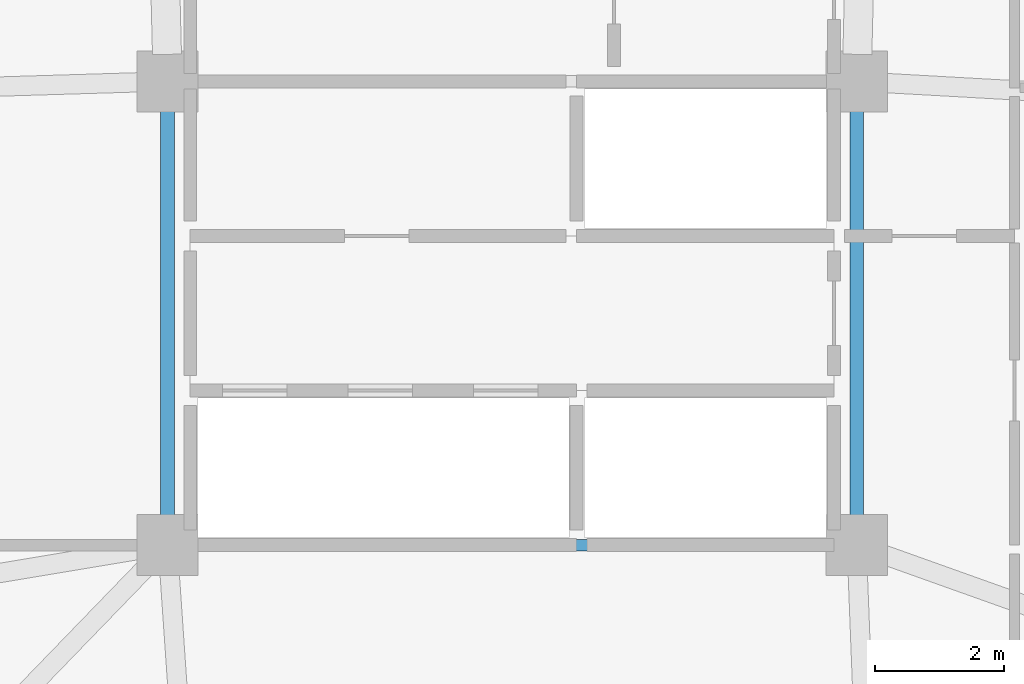
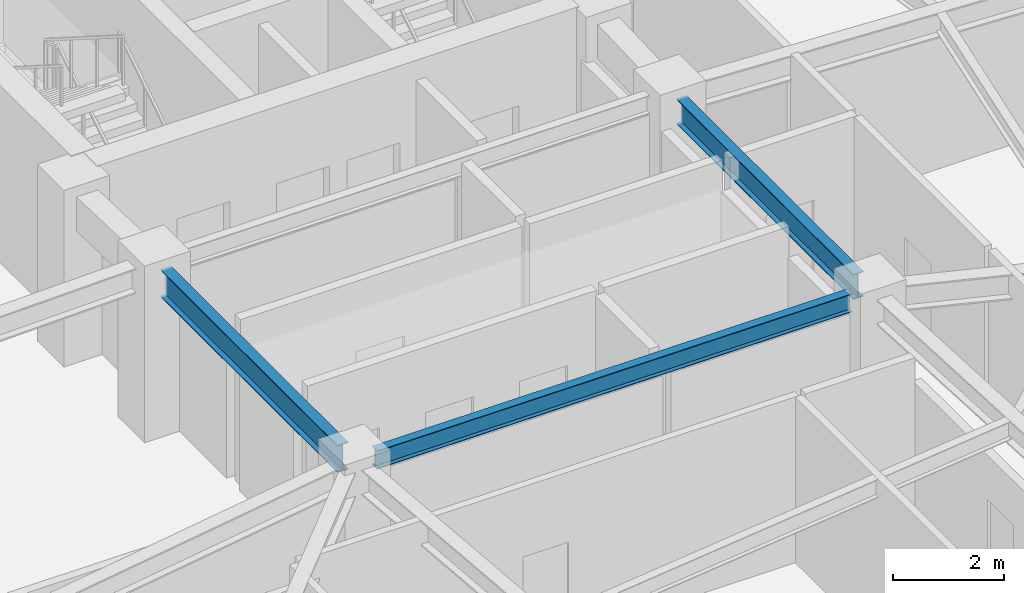
# One storey, part 9 of 25: 3 beams.
"""IFC4 building model written with IfcOpenShell, lengths in metres."""

import ifcopenshell
import ifcopenshell.guid

model = None  # the IFC model being written
_history = None  # IfcOwnerHistory: only IFC2X3 demands one
_inside = {}  # id of a spatial element -> (the spatial element, [elements in it])
_under = {}  # id of a project, library or spatial element -> (it, [spatial elements below it])
_declared = {}  # id of a project -> (the project, [libraries it declares])
_typed = {}  # id of a type object -> (the type object, [elements of that type])
_made_of = {}  # id of a material, layer set ... -> (it, [elements and type objects made of it])


def new_model(schema):
    """Start an empty IFC model of exactly this schema.

    Asked for "IFC4X3", IfcOpenShell would pick the latest addendum, in which some entities
    have other attributes; the version numbers below select the first issue.
    IFC2X3 requires an IfcOwnerHistory on every rooted entity: one is made here for all.
    """
    global model, _history
    if schema == "IFC4X3":
        model = ifcopenshell.file(schema_version=(4, 3, 0, 0))
    else:
        model = ifcopenshell.file(schema=schema)
    _inside.clear()
    _under.clear()
    _declared.clear()
    _typed.clear()
    _made_of.clear()
    _history = None
    if model.schema == "IFC2X3":
        org = make("IfcOrganization", Name="unknown")
        user = make(
            "IfcPersonAndOrganization",
            ThePerson=make("IfcPerson", FamilyName="unknown"),
            TheOrganization=org,
        )
        app = make(
            "IfcApplication",
            ApplicationDeveloper=org,
            Version="unknown",
            ApplicationFullName="unknown",
            ApplicationIdentifier="unknown",
        )
        _history = make(
            "IfcOwnerHistory",
            OwningUser=user,
            OwningApplication=app,
            ChangeAction="ADDED",
            CreationDate=0,
        )
    return model


def make(cls, **values):
    """One entity of the class cls with the attributes given. An attribute that is None is left unset."""
    return model.create_entity(
        cls, **{name: value for name, value in values.items() if value is not None}
    )


def rooted(cls, **values):
    """An entity with a GlobalId (a new one), such as an element, a storey or a relation."""
    return make(cls, GlobalId=ifcopenshell.guid.new(), OwnerHistory=_history, **values)


def si_unit(unit_type, name, prefix=None):
    """IfcSIUnit, for example si_unit("LENGTHUNIT", "METRE", prefix="MILLI")."""
    return make("IfcSIUnit", UnitType=unit_type, Prefix=prefix, Name=name)


def assignment(units):
    """IfcUnitAssignment: the units of a project."""
    return None if units is None else make("IfcUnitAssignment", Units=units)


def point(xyz):
    """IfcCartesianPoint."""
    return None if xyz is None else make("IfcCartesianPoint", Coordinates=xyz)


def direction(xyz):
    """IfcDirection."""
    return None if xyz is None else make("IfcDirection", DirectionRatios=xyz)


def frame(location, z_axis=None, x_axis=None):
    """IfcAxis2Placement3D, a coordinate frame: its origin and axes. An axis left out is left unset."""
    return make(
        "IfcAxis2Placement3D",
        Location=point(location),
        Axis=direction(z_axis),
        RefDirection=direction(x_axis),
    )


def frame_2d(location, x_axis=None):
    """IfcAxis2Placement2D, a coordinate frame in the plane: its origin and x axis."""
    return make(
        "IfcAxis2Placement2D", Location=point(location), RefDirection=direction(x_axis)
    )


def origin():
    """The frame at (0, 0, 0) with its axes left unset."""
    return frame((0.0, 0.0, 0.0))


def origin_2d():
    """The frame at (0, 0) in the plane with its x axis left unset."""
    return frame_2d((0.0, 0.0))


def place(relative_to, where):
    """IfcLocalPlacement: puts the frame where relative to a parent placement (None: the world)."""
    return make(
        "IfcLocalPlacement", PlacementRelTo=relative_to, RelativePlacement=where
    )


def context(
    kind, dimensions, precision=None, world=None, true_north=None, identifier=None
):
    """IfcGeometricRepresentationContext, for example the 3D "Model" context."""
    return make(
        "IfcGeometricRepresentationContext",
        ContextIdentifier=identifier,
        ContextType=kind,
        CoordinateSpaceDimension=dimensions,
        Precision=precision,
        WorldCoordinateSystem=world,
        TrueNorth=true_north,
    )


def subcontext(parent, identifier, kind, view, scale=None):
    """IfcGeometricRepresentationSubContext, for example "Body" below "Model"."""
    return make(
        "IfcGeometricRepresentationSubContext",
        ContextIdentifier=identifier,
        ContextType=kind,
        ParentContext=parent,
        TargetScale=scale,
        TargetView=view,
    )


def project(units=None, contexts=None):
    """IfcProject with its units and contexts."""
    return rooted(
        "IfcProject",
        Name="project",
        RepresentationContexts=contexts,
        UnitsInContext=assignment(units),
    )


def spatial(cls, under=None, at=None, **own):
    """A site, building, storey or space (cls), placed at a placement, below another one or the project."""
    s = rooted(cls, ObjectPlacement=at, **own)
    if under is not None:
        _under.setdefault(under.id(), (under, []))[1].append(s)
    return s


def profile(cls, at=None, kind="AREA", **sizes):
    """A parametric profile (cls). Its sizes go by their IFC names, for example OverallWidth=200.0."""
    return make(cls, ProfileType=kind, Position=at, **sizes)


def i_section(**sizes):
    """IfcIShapeProfileDef."""
    return profile("IfcIShapeProfileDef", **sizes)


def extrude(swept, where, along, depth):
    """IfcExtrudedAreaSolid: the profile swept, set in the frame where, extruded along a direction by depth."""
    return make(
        "IfcExtrudedAreaSolid",
        SweptArea=swept,
        Position=where,
        ExtrudedDirection=direction(along),
        Depth=depth,
    )


def shape(context_of_items, identifier, shape_type, items):
    """IfcShapeRepresentation: the items that make up one representation, for example the "Body"."""
    return make(
        "IfcShapeRepresentation",
        ContextOfItems=context_of_items,
        RepresentationIdentifier=identifier,
        RepresentationType=shape_type,
        Items=items,
    )


def material(Name=None, Category=None):
    """IfcMaterial."""
    return make("IfcMaterial", Name=Name, Category=Category)


def material_profile(
    of_material, cross_section, Name=None, Category=None, Priority=None
):
    """IfcMaterialProfile: a cross section and its material."""
    return make(
        "IfcMaterialProfile",
        Name=Name,
        Material=of_material,
        Profile=cross_section,
        Priority=Priority,
        Category=Category,
    )


def profile_set(profiles, Name=None, composite=None):
    """IfcMaterialProfileSet."""
    return make(
        "IfcMaterialProfileSet",
        Name=Name,
        MaterialProfiles=profiles,
        CompositeProfile=composite,
    )


def made_of(thing, what):
    """Note that an element or type object is made of a material, layer set ...; save() writes the relation."""
    if what is not None:
        _made_of.setdefault(what.id(), (what, []))[1].append(thing)
    return thing


def type_object(cls, material=None, **own):
    """A type object (cls), such as IfcWallType, which elements share."""
    return made_of(rooted(cls, **own), material)


def element(
    cls,
    number,
    at=None,
    inside=None,
    cuts=None,
    type_object=None,
    material=None,
    context=None,
    identifier="Body",
    shape_type=None,
    held_by="IfcProductDefinitionShape",
    body=None,
    shapes=None,
    **own,
):
    """One element of the class cls, such as IfcWall. Its Tag is "e" and its number.

    at: its placement. inside: the storey or other place that contains it. cuts: it is an
    opening in that element (IfcRelVoidsElement). A single representation is given by context,
    identifier, shape_type and body (its items); several are given by shapes. held_by: the class
    of the entity that holds the representations. save() writes the other relations.
    """
    e = rooted(cls, Tag="e%d" % number, ObjectPlacement=at, **own)
    if body is not None:
        shapes = [shape(context, identifier, shape_type, body)]
    if shapes is not None:
        e.Representation = make(held_by, Representations=shapes)
    if inside is not None:
        _inside.setdefault(inside.id(), (inside, []))[1].append(e)
    if cuts is not None:
        rooted(
            "IfcRelVoidsElement", RelatingBuildingElement=cuts, RelatedOpeningElement=e
        )
    if type_object is not None:
        _typed.setdefault(type_object.id(), (type_object, []))[1].append(e)
    return made_of(e, material)


def aggregate(whole, parts):
    """IfcRelAggregates: a whole, such as a stair, and the parts it consists of."""
    return rooted("IfcRelAggregates", RelatingObject=whole, RelatedObjects=parts)


def save(model, path):
    """Write the relations noted so far, then the file.

    IfcRelAggregates (storeys below a building ...), IfcRelContainedInSpatialStructure (elements
    in a storey), IfcRelDefinesByType, IfcRelAssociatesMaterial and IfcRelDeclares: one each for
    every whole, place, type object, material and project.
    """
    for whole, parts in _under.values():
        aggregate(whole, parts)
    for where, things in _inside.values():
        rooted(
            "IfcRelContainedInSpatialStructure",
            RelatedElements=things,
            RelatingStructure=where,
        )
    for kind, things in _typed.values():
        rooted("IfcRelDefinesByType", RelatedObjects=things, RelatingType=kind)
    for what, things in _made_of.values():
        rooted("IfcRelAssociatesMaterial", RelatedObjects=things, RelatingMaterial=what)
    for by, libraries in _declared.values():
        rooted("IfcRelDeclares", RelatingContext=by, RelatedDefinitions=libraries)
    model.write(path)


model = new_model("IFC4")

# Units and contexts
model_context = context("Model", 3, precision=1e-05, world=origin(), true_north=direction((0.0, 1.0)))
body_context = subcontext(model_context, "Body", "Model", "MODEL_VIEW")
ifc_project = project(units=[si_unit("LENGTHUNIT", "METRE"), si_unit("AREAUNIT", "SQUARE_METRE"), si_unit("VOLUMEUNIT", "CUBIC_METRE"), si_unit("PLANEANGLEUNIT", "RADIAN"), si_unit("MASSUNIT", "GRAM", prefix="KILO")], contexts=[model_context])

# Site, building, storey
site_placement = place(None, origin())
site = spatial("IfcSite", under=ifc_project, at=site_placement, CompositionType="ELEMENT")
building_placement = place(site_placement, origin())
building = spatial("IfcBuilding", under=site, at=building_placement, Name="Varnakorn Sky Granary", CompositionType="ELEMENT")
storey_placement = place(building_placement, frame((0.0, 0.0, 157.800048828125)))
storey = spatial("IfcBuildingStorey", under=building, at=storey_placement, Name="L39", CompositionType="ELEMENT", Elevation=157.800048828125)

# Beams
ifc_material = material(Name="Steel S355JR", Category="steel")
ifc_material_profile_1 = material_profile(ifc_material, i_section(OverallWidth=0.2099609375, OverallDepth=0.550048828125, WebThickness=0.010986328125, FlangeThickness=0.01708984375, at=origin_2d()), Name="IPE 550")
ifc_profile_set_1 = profile_set([ifc_material_profile_1], Name="Steel S355JR")
beam_type_1 = type_object("IfcBeamType", Name="BM-JST-550", PredefinedType="JOIST", material=ifc_profile_set_1)
beam_1_placement = place(storey_placement, frame((8.35009765625, 0.179931640625, 3.364990234375), z_axis=(0.0, -1.0, 0.0), x_axis=(1.0, 0.0, 0.0)))
element("IfcBeam", 1, at=beam_1_placement, inside=storey, type_object=beam_type_1, Name="Core Spine Framing Beam 4 L39", PredefinedType="JOIST", context=body_context, shape_type="SweptSolid", body=[
    extrude(i_section(OverallWidth=0.2099609375, OverallDepth=0.550048828125, WebThickness=0.010986328125, FlangeThickness=0.01708984375, at=origin_2d()), origin(), (0.0, 0.0, 1.0), 6.35986328125),
])
ifc_material_profile_2 = material_profile(ifc_material, i_section(OverallWidth=0.219970703125, OverallDepth=0.60009765625, WebThickness=0.011962890625, FlangeThickness=0.01904296875, at=origin_2d()), Name="IPE 600")
ifc_profile_set_2 = profile_set([ifc_material_profile_2], Name="Steel S355JR")
beam_type_2 = type_object("IfcBeamType", Name="BM-JST-600", PredefinedType="JOIST", material=ifc_profile_set_2)
beam_2_placement = place(storey_placement, frame((-2.35009765625, 0.179931640625, 3.33984375), z_axis=(0.0, -1.0, 0.0), x_axis=(1.0, 0.0, 0.0)))
element("IfcBeam", 2, at=beam_2_placement, inside=storey, type_object=beam_type_2, Name="Core Spine Framing Beam 3 L39", PredefinedType="JOIST", context=body_context, shape_type="SweptSolid", body=[
    extrude(i_section(OverallWidth=0.219970703125, OverallDepth=0.60009765625, WebThickness=0.011962890625, FlangeThickness=0.01904296875, at=origin_2d()), origin(), (0.0, 0.0, 1.0), 6.35986328125),
])
ifc_material_profile_3 = material_profile(ifc_material, i_section(OverallWidth=0.179931640625, OverallDepth=0.39990234375, WebThickness=0.008544921875, FlangeThickness=0.013427734375, at=origin_2d()), Name="IPE 400")
ifc_profile_set_3 = profile_set([ifc_material_profile_3], Name="Steel S355JR")
beam_type_3 = type_object("IfcBeamType", Name="BM-SEC-Z3", PredefinedType="BEAM", material=ifc_profile_set_3)
beam_3_placement = place(storey_placement, frame((-1.929931640625, -6.60009765625, 3.43994140625), z_axis=(1.0, 0.0, 0.0), x_axis=(0.0, 1.0, 0.0)))
element("IfcBeam", 3, at=beam_3_placement, inside=storey, type_object=beam_type_3, Name="Core Spine Framing Beam 6 L39", PredefinedType="BEAM", context=body_context, shape_type="SweptSolid", body=[
    extrude(i_section(OverallWidth=0.179931640625, OverallDepth=0.39990234375, WebThickness=0.008544921875, FlangeThickness=0.013427734375, at=origin_2d()), origin(), (0.0, 0.0, 1.0), 9.85986328125),
])

save(model, "model.ifc")
